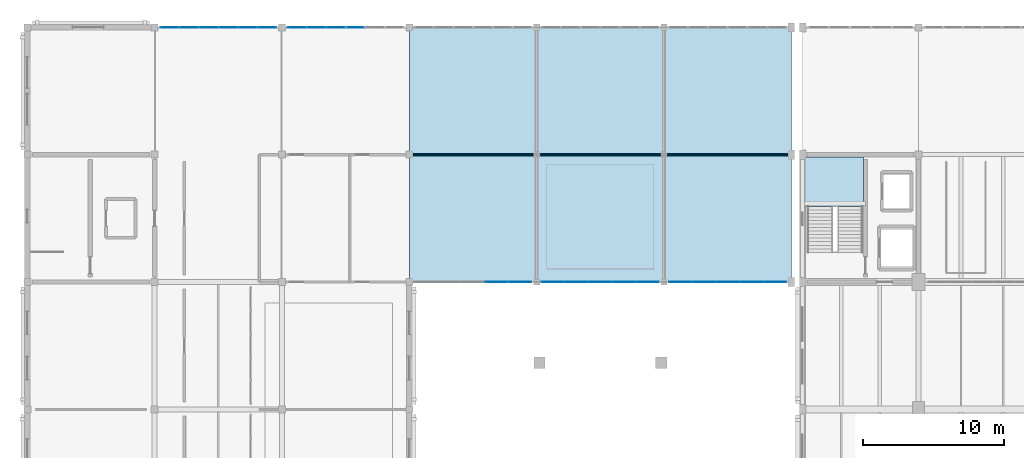
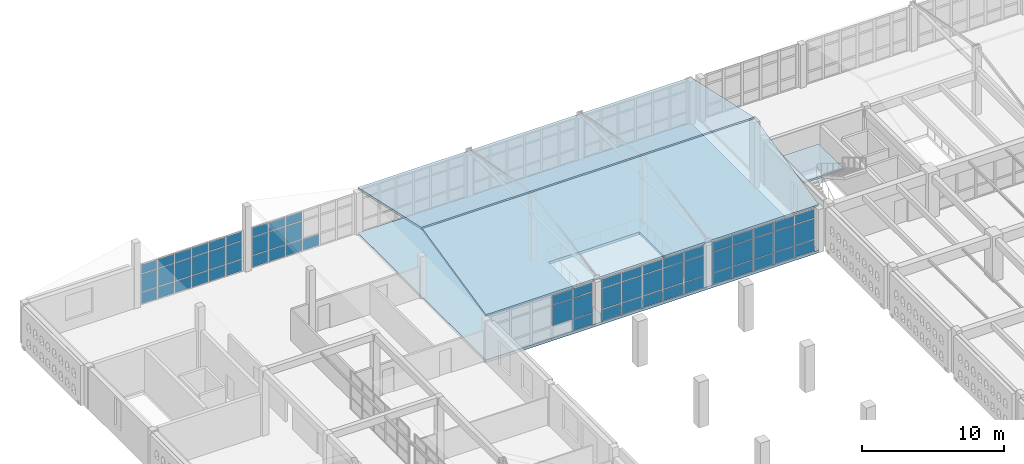
# One storey, part 113 of 156: 63 plates, 4 slabs, 6 elements without a shape of their own.
"""IFC4 building model written with IfcOpenShell, lengths in metres."""

from ifc_helpers import new_model, si_unit, direction, frame, origin, origin_2d, place, context, subcontext, project, spatial, polyline, rectangle, outline, extrude, material, layer, layer_set, type_object, element, aggregate, save


model = new_model("IFC4")

# Units and contexts
model_context = context("Model", 3, precision=1e-05, world=origin(), true_north=direction((0.0, 1.0)))
body_context = subcontext(model_context, "Body", "Model", "MODEL_VIEW")
ifc_project = project(units=[si_unit("LENGTHUNIT", "METRE"), si_unit("AREAUNIT", "SQUARE_METRE"), si_unit("VOLUMEUNIT", "CUBIC_METRE"), si_unit("PLANEANGLEUNIT", "RADIAN"), si_unit("MASSUNIT", "GRAM", prefix="KILO")], contexts=[model_context])

# Site, building, storey
site_placement = place(None, origin())
site = spatial("IfcSite", under=ifc_project, at=site_placement, CompositionType="ELEMENT")
building_placement = place(site_placement, origin())
building = spatial("IfcBuilding", under=site, at=building_placement, Name="Ornek Quay Market", CompositionType="ELEMENT")
storey_placement = place(building_placement, frame((0.0, 0.0, 4.5)))
storey = spatial("IfcBuildingStorey", under=building, at=storey_placement, Name="L01", CompositionType="ELEMENT", Elevation=4.5)

# Curtain wall, plates
ifc_material_1 = material(Name="Anodised bronze aluminium and triple low-e glass", Category="aluminium")
ifc_layer_1 = layer(ifc_material_1, 0.179931640625, Name="Anodised bronze aluminium and triple low-e glass", Category="aluminium")
ifc_layer_set_1 = layer_set([ifc_layer_1], Name="Anodised bronze aluminium and triple low-e glass")
curtain_wall_type_1 = type_object("IfcCurtainWallType", Name="CW-CONC-MOD1500", PredefinedType="USERDEFINED", material=ifc_layer_set_1)
curtain_wall_1_placement = place(storey_placement, origin())
curtain_wall_1 = element("IfcCurtainWall", 1, at=curtain_wall_1_placement, inside=storey, type_object=curtain_wall_type_1, Name="Curtain wall CW-003", ObjectType="CURTAIN WALL", PredefinedType="USERDEFINED")
ifc_material_2 = material(Name="Triple insulated low-e glass", Category="glass")
ifc_layer_2 = layer(ifc_material_2, 0.035888671875, Name="Triple insulated low-e glass", Category="glass")
ifc_layer_set_2 = layer_set([ifc_layer_2], Name="Triple insulated low-e glass")
plate_type_1 = type_object("IfcPlateType", Name="PL-CW-TRIPLE-36", PredefinedType="CURTAIN_PANEL", material=ifc_layer_set_2)
plate_1_placement = place(storey_placement, frame((10.057861328125, 110.0, 0.06494140625), z_axis=(0.0, 0.0, 1.0), x_axis=(1.0, 0.0, 0.0)))
plate_1 = element("IfcPlate", 2, at=plate_1_placement, type_object=plate_type_1, Name="CW-003 panel 1.1", PredefinedType="CURTAIN_PANEL", context=body_context, shape_type="SweptSolid", body=[
    extrude(rectangle(XDim=1.285888671875, YDim=0.035888671875, at=origin_2d()), origin(), (0.0, 0.0, 1.0), 0.952392578125),
])
plate_2_placement = place(storey_placement, frame((10.057861328125, 110.0, 1.08251953125), z_axis=(0.0, 0.0, 1.0), x_axis=(1.0, 0.0, 0.0)))
plate_2 = element("IfcPlate", 3, at=plate_2_placement, type_object=plate_type_1, Name="CW-003 panel 1.2", PredefinedType="CURTAIN_PANEL", context=body_context, shape_type="SweptSolid", body=[
    extrude(rectangle(XDim=1.285888671875, YDim=0.035888671875, at=origin_2d()), origin(), (0.0, 0.0, 1.0), 1.514892578125),
])
plate_3_placement = place(storey_placement, frame((10.057861328125, 110.0, 2.66259765625), z_axis=(0.0, 0.0, 1.0), x_axis=(1.0, 0.0, 0.0)))
plate_3 = element("IfcPlate", 4, at=plate_3_placement, type_object=plate_type_1, Name="CW-003 panel 1.3", PredefinedType="CURTAIN_PANEL", context=body_context, shape_type="SweptSolid", body=[
    extrude(rectangle(XDim=1.285888671875, YDim=0.035888671875, at=origin_2d()), origin(), (0.0, 0.0, 1.0), 0.75244140625),
])
plate_4_placement = place(storey_placement, frame((11.425048828125, 110.0, 0.06494140625), z_axis=(0.0, 0.0, 1.0), x_axis=(1.0, 0.0, 0.0)))
plate_4 = element("IfcPlate", 5, at=plate_4_placement, type_object=plate_type_1, Name="CW-003 panel 2.1", PredefinedType="CURTAIN_PANEL", context=body_context, shape_type="SweptSolid", body=[
    extrude(rectangle(XDim=1.318359375, YDim=0.035888671875, at=origin_2d()), origin(), (0.0, 0.0, 1.0), 0.952392578125),
])
plate_5_placement = place(storey_placement, frame((11.425048828125, 110.0, 1.08251953125), z_axis=(0.0, 0.0, 1.0), x_axis=(1.0, 0.0, 0.0)))
plate_5 = element("IfcPlate", 6, at=plate_5_placement, type_object=plate_type_1, Name="CW-003 panel 2.2", PredefinedType="CURTAIN_PANEL", context=body_context, shape_type="SweptSolid", body=[
    extrude(rectangle(XDim=1.318359375, YDim=0.035888671875, at=origin_2d()), origin(), (0.0, 0.0, 1.0), 1.514892578125),
])
plate_6_placement = place(storey_placement, frame((11.425048828125, 110.0, 2.66259765625), z_axis=(0.0, 0.0, 1.0), x_axis=(1.0, 0.0, 0.0)))
plate_6 = element("IfcPlate", 7, at=plate_6_placement, type_object=plate_type_1, Name="CW-003 panel 2.3", PredefinedType="CURTAIN_PANEL", context=body_context, shape_type="SweptSolid", body=[
    extrude(rectangle(XDim=1.318359375, YDim=0.035888671875, at=origin_2d()), origin(), (0.0, 0.0, 1.0), 0.75244140625),
])
plate_7_placement = place(storey_placement, frame((12.808349609375, 110.0, 0.06494140625), z_axis=(0.0, 0.0, 1.0), x_axis=(1.0, 0.0, 0.0)))
plate_7 = element("IfcPlate", 8, at=plate_7_placement, type_object=plate_type_1, Name="CW-003 panel 3.1", PredefinedType="CURTAIN_PANEL", context=body_context, shape_type="SweptSolid", body=[
    extrude(rectangle(XDim=1.318359375, YDim=0.035888671875, at=origin_2d()), origin(), (0.0, 0.0, 1.0), 0.952392578125),
])
plate_8_placement = place(storey_placement, frame((12.808349609375, 110.0, 1.08251953125), z_axis=(0.0, 0.0, 1.0), x_axis=(1.0, 0.0, 0.0)))
plate_8 = element("IfcPlate", 9, at=plate_8_placement, type_object=plate_type_1, Name="CW-003 panel 3.2", PredefinedType="CURTAIN_PANEL", context=body_context, shape_type="SweptSolid", body=[
    extrude(rectangle(XDim=1.318359375, YDim=0.035888671875, at=origin_2d()), origin(), (0.0, 0.0, 1.0), 1.514892578125),
])
plate_9_placement = place(storey_placement, frame((12.808349609375, 110.0, 2.66259765625), z_axis=(0.0, 0.0, 1.0), x_axis=(1.0, 0.0, 0.0)))
plate_9 = element("IfcPlate", 10, at=plate_9_placement, type_object=plate_type_1, Name="CW-003 panel 3.3", PredefinedType="CURTAIN_PANEL", context=body_context, shape_type="SweptSolid", body=[
    extrude(rectangle(XDim=1.318359375, YDim=0.035888671875, at=origin_2d()), origin(), (0.0, 0.0, 1.0), 0.75244140625),
])
plate_10_placement = place(storey_placement, frame((14.191650390625, 110.0, 0.06494140625), z_axis=(0.0, 0.0, 1.0), x_axis=(1.0, 0.0, 0.0)))
plate_10 = element("IfcPlate", 11, at=plate_10_placement, type_object=plate_type_1, Name="CW-003 panel 4.1", PredefinedType="CURTAIN_PANEL", context=body_context, shape_type="SweptSolid", body=[
    extrude(rectangle(XDim=1.318359375, YDim=0.035888671875, at=origin_2d()), origin(), (0.0, 0.0, 1.0), 0.952392578125),
])
plate_11_placement = place(storey_placement, frame((14.191650390625, 110.0, 1.08251953125), z_axis=(0.0, 0.0, 1.0), x_axis=(1.0, 0.0, 0.0)))
plate_11 = element("IfcPlate", 12, at=plate_11_placement, type_object=plate_type_1, Name="CW-003 panel 4.2", PredefinedType="CURTAIN_PANEL", context=body_context, shape_type="SweptSolid", body=[
    extrude(rectangle(XDim=1.318359375, YDim=0.035888671875, at=origin_2d()), origin(), (0.0, 0.0, 1.0), 1.514892578125),
])
plate_12_placement = place(storey_placement, frame((14.191650390625, 110.0, 2.66259765625), z_axis=(0.0, 0.0, 1.0), x_axis=(1.0, 0.0, 0.0)))
plate_12 = element("IfcPlate", 13, at=plate_12_placement, type_object=plate_type_1, Name="CW-003 panel 4.3", PredefinedType="CURTAIN_PANEL", context=body_context, shape_type="SweptSolid", body=[
    extrude(rectangle(XDim=1.318359375, YDim=0.035888671875, at=origin_2d()), origin(), (0.0, 0.0, 1.0), 0.75244140625),
])
plate_13_placement = place(storey_placement, frame((15.574951171875, 110.0, 0.06494140625), z_axis=(0.0, 0.0, 1.0), x_axis=(1.0, 0.0, 0.0)))
plate_13 = element("IfcPlate", 14, at=plate_13_placement, type_object=plate_type_1, Name="CW-003 panel 5.1", PredefinedType="CURTAIN_PANEL", context=body_context, shape_type="SweptSolid", body=[
    extrude(rectangle(XDim=1.318359375, YDim=0.035888671875, at=origin_2d()), origin(), (0.0, 0.0, 1.0), 0.952392578125),
])
plate_14_placement = place(storey_placement, frame((15.574951171875, 110.0, 1.08251953125), z_axis=(0.0, 0.0, 1.0), x_axis=(1.0, 0.0, 0.0)))
plate_14 = element("IfcPlate", 15, at=plate_14_placement, type_object=plate_type_1, Name="CW-003 panel 5.2", PredefinedType="CURTAIN_PANEL", context=body_context, shape_type="SweptSolid", body=[
    extrude(rectangle(XDim=1.318359375, YDim=0.035888671875, at=origin_2d()), origin(), (0.0, 0.0, 1.0), 1.514892578125),
])
plate_15_placement = place(storey_placement, frame((15.574951171875, 110.0, 2.66259765625), z_axis=(0.0, 0.0, 1.0), x_axis=(1.0, 0.0, 0.0)))
plate_15 = element("IfcPlate", 16, at=plate_15_placement, type_object=plate_type_1, Name="CW-003 panel 5.3", PredefinedType="CURTAIN_PANEL", context=body_context, shape_type="SweptSolid", body=[
    extrude(rectangle(XDim=1.318359375, YDim=0.035888671875, at=origin_2d()), origin(), (0.0, 0.0, 1.0), 0.75244140625),
])
plate_16_placement = place(storey_placement, frame((16.942138671875, 110.0, 0.06494140625), z_axis=(0.0, 0.0, 1.0), x_axis=(1.0, 0.0, 0.0)))
plate_16 = element("IfcPlate", 17, at=plate_16_placement, type_object=plate_type_1, Name="CW-003 panel 6.1", PredefinedType="CURTAIN_PANEL", context=body_context, shape_type="SweptSolid", body=[
    extrude(rectangle(XDim=1.285888671875, YDim=0.035888671875, at=origin_2d()), origin(), (0.0, 0.0, 1.0), 0.952392578125),
])
plate_17_placement = place(storey_placement, frame((16.942138671875, 110.0, 1.08251953125), z_axis=(0.0, 0.0, 1.0), x_axis=(1.0, 0.0, 0.0)))
plate_17 = element("IfcPlate", 18, at=plate_17_placement, type_object=plate_type_1, Name="CW-003 panel 6.2", PredefinedType="CURTAIN_PANEL", context=body_context, shape_type="SweptSolid", body=[
    extrude(rectangle(XDim=1.285888671875, YDim=0.035888671875, at=origin_2d()), origin(), (0.0, 0.0, 1.0), 1.514892578125),
])
plate_18_placement = place(storey_placement, frame((16.942138671875, 110.0, 2.66259765625), z_axis=(0.0, 0.0, 1.0), x_axis=(1.0, 0.0, 0.0)))
plate_18 = element("IfcPlate", 19, at=plate_18_placement, type_object=plate_type_1, Name="CW-003 panel 6.3", PredefinedType="CURTAIN_PANEL", context=body_context, shape_type="SweptSolid", body=[
    extrude(rectangle(XDim=1.285888671875, YDim=0.035888671875, at=origin_2d()), origin(), (0.0, 0.0, 1.0), 0.75244140625),
])
aggregate(curtain_wall_1, [plate_1, plate_2, plate_3, plate_4, plate_5, plate_6, plate_7, plate_8, plate_9, plate_10, plate_11, plate_12, plate_13, plate_14, plate_15, plate_16, plate_17, plate_18])

curtain_wall_2_placement = place(storey_placement, origin())
curtain_wall_2 = element("IfcCurtainWall", 20, at=curtain_wall_2_placement, inside=storey, type_object=curtain_wall_type_1, Name="Curtain wall CW-004", ObjectType="CURTAIN WALL", PredefinedType="USERDEFINED")
plate_19_placement = place(storey_placement, frame((19.057861328125, 110.0, 0.06494140625), z_axis=(0.0, 0.0, 1.0), x_axis=(1.0, 0.0, 0.0)))
plate_19 = element("IfcPlate", 21, at=plate_19_placement, type_object=plate_type_1, Name="CW-004 panel 1.1", PredefinedType="CURTAIN_PANEL", context=body_context, shape_type="SweptSolid", body=[
    extrude(rectangle(XDim=1.285888671875, YDim=0.035888671875, at=origin_2d()), origin(), (0.0, 0.0, 1.0), 0.952392578125),
])
plate_20_placement = place(storey_placement, frame((19.057861328125, 110.0, 1.08251953125), z_axis=(0.0, 0.0, 1.0), x_axis=(1.0, 0.0, 0.0)))
plate_20 = element("IfcPlate", 22, at=plate_20_placement, type_object=plate_type_1, Name="CW-004 panel 1.2", PredefinedType="CURTAIN_PANEL", context=body_context, shape_type="SweptSolid", body=[
    extrude(rectangle(XDim=1.285888671875, YDim=0.035888671875, at=origin_2d()), origin(), (0.0, 0.0, 1.0), 1.514892578125),
])
plate_21_placement = place(storey_placement, frame((19.057861328125, 110.0, 2.66259765625), z_axis=(0.0, 0.0, 1.0), x_axis=(1.0, 0.0, 0.0)))
plate_21 = element("IfcPlate", 23, at=plate_21_placement, type_object=plate_type_1, Name="CW-004 panel 1.3", PredefinedType="CURTAIN_PANEL", context=body_context, shape_type="SweptSolid", body=[
    extrude(rectangle(XDim=1.285888671875, YDim=0.035888671875, at=origin_2d()), origin(), (0.0, 0.0, 1.0), 0.75244140625),
])
plate_22_placement = place(storey_placement, frame((20.425048828125, 110.0, 0.06494140625), z_axis=(0.0, 0.0, 1.0), x_axis=(1.0, 0.0, 0.0)))
plate_22 = element("IfcPlate", 24, at=plate_22_placement, type_object=plate_type_1, Name="CW-004 panel 2.1", PredefinedType="CURTAIN_PANEL", context=body_context, shape_type="SweptSolid", body=[
    extrude(rectangle(XDim=1.318359375, YDim=0.035888671875, at=origin_2d()), origin(), (0.0, 0.0, 1.0), 0.952392578125),
])
plate_23_placement = place(storey_placement, frame((20.425048828125, 110.0, 1.08251953125), z_axis=(0.0, 0.0, 1.0), x_axis=(1.0, 0.0, 0.0)))
plate_23 = element("IfcPlate", 25, at=plate_23_placement, type_object=plate_type_1, Name="CW-004 panel 2.2", PredefinedType="CURTAIN_PANEL", context=body_context, shape_type="SweptSolid", body=[
    extrude(rectangle(XDim=1.318359375, YDim=0.035888671875, at=origin_2d()), origin(), (0.0, 0.0, 1.0), 1.514892578125),
])
plate_24_placement = place(storey_placement, frame((20.425048828125, 110.0, 2.66259765625), z_axis=(0.0, 0.0, 1.0), x_axis=(1.0, 0.0, 0.0)))
plate_24 = element("IfcPlate", 26, at=plate_24_placement, type_object=plate_type_1, Name="CW-004 panel 2.3", PredefinedType="CURTAIN_PANEL", context=body_context, shape_type="SweptSolid", body=[
    extrude(rectangle(XDim=1.318359375, YDim=0.035888671875, at=origin_2d()), origin(), (0.0, 0.0, 1.0), 0.75244140625),
])
plate_25_placement = place(storey_placement, frame((21.808349609375, 110.0, 0.06494140625), z_axis=(0.0, 0.0, 1.0), x_axis=(1.0, 0.0, 0.0)))
plate_25 = element("IfcPlate", 27, at=plate_25_placement, type_object=plate_type_1, Name="CW-004 panel 3.1", PredefinedType="CURTAIN_PANEL", context=body_context, shape_type="SweptSolid", body=[
    extrude(rectangle(XDim=1.318359375, YDim=0.035888671875, at=origin_2d()), origin(), (0.0, 0.0, 1.0), 0.952392578125),
])
plate_26_placement = place(storey_placement, frame((21.808349609375, 110.0, 1.08251953125), z_axis=(0.0, 0.0, 1.0), x_axis=(1.0, 0.0, 0.0)))
plate_26 = element("IfcPlate", 28, at=plate_26_placement, type_object=plate_type_1, Name="CW-004 panel 3.2", PredefinedType="CURTAIN_PANEL", context=body_context, shape_type="SweptSolid", body=[
    extrude(rectangle(XDim=1.318359375, YDim=0.035888671875, at=origin_2d()), origin(), (0.0, 0.0, 1.0), 1.514892578125),
])
plate_27_placement = place(storey_placement, frame((21.808349609375, 110.0, 2.66259765625), z_axis=(0.0, 0.0, 1.0), x_axis=(1.0, 0.0, 0.0)))
plate_27 = element("IfcPlate", 29, at=plate_27_placement, type_object=plate_type_1, Name="CW-004 panel 3.3", PredefinedType="CURTAIN_PANEL", context=body_context, shape_type="SweptSolid", body=[
    extrude(rectangle(XDim=1.318359375, YDim=0.035888671875, at=origin_2d()), origin(), (0.0, 0.0, 1.0), 0.75244140625),
])
plate_28_placement = place(storey_placement, frame((23.191650390625, 110.0, 0.06494140625), z_axis=(0.0, 0.0, 1.0), x_axis=(1.0, 0.0, 0.0)))
plate_28 = element("IfcPlate", 30, at=plate_28_placement, type_object=plate_type_1, Name="CW-004 panel 4.1", PredefinedType="CURTAIN_PANEL", context=body_context, shape_type="SweptSolid", body=[
    extrude(rectangle(XDim=1.318359375, YDim=0.035888671875, at=origin_2d()), origin(), (0.0, 0.0, 1.0), 0.952392578125),
])
aggregate(curtain_wall_2, [plate_19, plate_20, plate_21, plate_22, plate_23, plate_24, plate_25, plate_26, plate_27, plate_28])

ifc_layer_3 = layer(ifc_material_1, 0.199951171875, Name="Anodised bronze aluminium and triple low-e glass", Category="aluminium")
ifc_layer_set_3 = layer_set([ifc_layer_3], Name="Anodised bronze aluminium and triple low-e glass")
curtain_wall_type_2 = type_object("IfcCurtainWallType", Name="CW-CONC-MOD1800", PredefinedType="USERDEFINED", material=ifc_layer_set_3)
curtain_wall_3_placement = place(storey_placement, origin())
curtain_wall_3 = element("IfcCurtainWall", 31, at=curtain_wall_3_placement, inside=storey, type_object=curtain_wall_type_2, Name="Curtain wall CW-014", ObjectType="CURTAIN WALL", PredefinedType="USERDEFINED")
ifc_layer_4 = layer(ifc_material_2, 0.0419921875, Name="Triple insulated low-e glass", Category="glass")
ifc_layer_set_4 = layer_set([ifc_layer_4], Name="Triple insulated low-e glass")
plate_type_2 = type_object("IfcPlateType", Name="PL-CW-TRIPLE-42", PredefinedType="CURTAIN_PANEL", material=ifc_layer_set_4)
plate_29_placement = place(storey_placement, frame((33.179931640625, 92.0, 1.08251953125), z_axis=(0.0, 0.0, 1.0), x_axis=(1.0, 0.0, 0.0)))
plate_29 = element("IfcPlate", 32, at=plate_29_placement, type_object=plate_type_2, Name="CW-014 panel 4.2", PredefinedType="CURTAIN_PANEL", context=body_context, shape_type="SweptSolid", body=[
    extrude(rectangle(XDim=1.614990234375, YDim=0.0419921875, at=origin_2d()), origin(), (0.0, 0.0, 1.0), 1.7451171875),
])
plate_30_placement = place(storey_placement, frame((33.179931640625, 92.0, 2.892578125), z_axis=(0.0, 0.0, 1.0), x_axis=(1.0, 0.0, 0.0)))
plate_30 = element("IfcPlate", 33, at=plate_30_placement, type_object=plate_type_2, Name="CW-014 panel 4.3", PredefinedType="CURTAIN_PANEL", context=body_context, shape_type="SweptSolid", body=[
    extrude(rectangle(XDim=1.614990234375, YDim=0.0419921875, at=origin_2d()), origin(), (0.0, 0.0, 1.0), 0.75244140625),
])
plate_31_placement = place(storey_placement, frame((34.84375, 92.0, 0.06494140625), z_axis=(0.0, 0.0, 1.0), x_axis=(1.0, 0.0, 0.0)))
plate_31 = element("IfcPlate", 34, at=plate_31_placement, type_object=plate_type_2, Name="CW-014 panel 5.1", PredefinedType="CURTAIN_PANEL", context=body_context, shape_type="SweptSolid", body=[
    extrude(rectangle(XDim=1.58251953125, YDim=0.0419921875, at=origin_2d()), origin(), (0.0, 0.0, 1.0), 0.952392578125),
])
plate_32_placement = place(storey_placement, frame((34.84375, 92.0, 1.08251953125), z_axis=(0.0, 0.0, 1.0), x_axis=(1.0, 0.0, 0.0)))
plate_32 = element("IfcPlate", 35, at=plate_32_placement, type_object=plate_type_2, Name="CW-014 panel 5.2", PredefinedType="CURTAIN_PANEL", context=body_context, shape_type="SweptSolid", body=[
    extrude(rectangle(XDim=1.58251953125, YDim=0.0419921875, at=origin_2d()), origin(), (0.0, 0.0, 1.0), 1.7451171875),
])
plate_33_placement = place(storey_placement, frame((34.84375, 92.0, 2.892578125), z_axis=(0.0, 0.0, 1.0), x_axis=(1.0, 0.0, 0.0)))
plate_33 = element("IfcPlate", 36, at=plate_33_placement, type_object=plate_type_2, Name="CW-014 panel 5.3", PredefinedType="CURTAIN_PANEL", context=body_context, shape_type="SweptSolid", body=[
    extrude(rectangle(XDim=1.58251953125, YDim=0.0419921875, at=origin_2d()), origin(), (0.0, 0.0, 1.0), 0.75244140625),
])
aggregate(curtain_wall_3, [plate_29, plate_30, plate_31, plate_32, plate_33])

curtain_wall_4_placement = place(storey_placement, origin())
curtain_wall_4 = element("IfcCurtainWall", 37, at=curtain_wall_4_placement, inside=storey, type_object=curtain_wall_type_2, Name="Curtain wall CW-018", ObjectType="CURTAIN WALL", PredefinedType="USERDEFINED")
plate_34_placement = place(storey_placement, frame((37.15625, 92.0, 0.06494140625), z_axis=(0.0, 0.0, 1.0), x_axis=(1.0, 0.0, 0.0)))
plate_34 = element("IfcPlate", 38, at=plate_34_placement, type_object=plate_type_2, Name="CW-018 panel 1.1", PredefinedType="CURTAIN_PANEL", context=body_context, shape_type="SweptSolid", body=[
    extrude(rectangle(XDim=1.58251953125, YDim=0.0419921875, at=origin_2d()), origin(), (0.0, 0.0, 1.0), 0.952392578125),
])
plate_35_placement = place(storey_placement, frame((37.15625, 92.0, 1.08251953125), z_axis=(0.0, 0.0, 1.0), x_axis=(1.0, 0.0, 0.0)))
plate_35 = element("IfcPlate", 39, at=plate_35_placement, type_object=plate_type_2, Name="CW-018 panel 1.2", PredefinedType="CURTAIN_PANEL", context=body_context, shape_type="SweptSolid", body=[
    extrude(rectangle(XDim=1.58251953125, YDim=0.0419921875, at=origin_2d()), origin(), (0.0, 0.0, 1.0), 1.7451171875),
])
plate_36_placement = place(storey_placement, frame((37.15625, 92.0, 2.892578125), z_axis=(0.0, 0.0, 1.0), x_axis=(1.0, 0.0, 0.0)))
plate_36 = element("IfcPlate", 40, at=plate_36_placement, type_object=plate_type_2, Name="CW-018 panel 1.3", PredefinedType="CURTAIN_PANEL", context=body_context, shape_type="SweptSolid", body=[
    extrude(rectangle(XDim=1.58251953125, YDim=0.0419921875, at=origin_2d()), origin(), (0.0, 0.0, 1.0), 0.75244140625),
])
plate_37_placement = place(storey_placement, frame((38.820068359375, 92.0, 0.06494140625), z_axis=(0.0, 0.0, 1.0), x_axis=(1.0, 0.0, 0.0)))
plate_37 = element("IfcPlate", 41, at=plate_37_placement, type_object=plate_type_2, Name="CW-018 panel 2.1", PredefinedType="CURTAIN_PANEL", context=body_context, shape_type="SweptSolid", body=[
    extrude(rectangle(XDim=1.614990234375, YDim=0.0419921875, at=origin_2d()), origin(), (0.0, 0.0, 1.0), 0.952392578125),
])
plate_38_placement = place(storey_placement, frame((38.820068359375, 92.0, 1.08251953125), z_axis=(0.0, 0.0, 1.0), x_axis=(1.0, 0.0, 0.0)))
plate_38 = element("IfcPlate", 42, at=plate_38_placement, type_object=plate_type_2, Name="CW-018 panel 2.2", PredefinedType="CURTAIN_PANEL", context=body_context, shape_type="SweptSolid", body=[
    extrude(rectangle(XDim=1.614990234375, YDim=0.0419921875, at=origin_2d()), origin(), (0.0, 0.0, 1.0), 1.7451171875),
])
plate_39_placement = place(storey_placement, frame((38.820068359375, 92.0, 2.892578125), z_axis=(0.0, 0.0, 1.0), x_axis=(1.0, 0.0, 0.0)))
plate_39 = element("IfcPlate", 43, at=plate_39_placement, type_object=plate_type_2, Name="CW-018 panel 2.3", PredefinedType="CURTAIN_PANEL", context=body_context, shape_type="SweptSolid", body=[
    extrude(rectangle(XDim=1.614990234375, YDim=0.0419921875, at=origin_2d()), origin(), (0.0, 0.0, 1.0), 0.75244140625),
])
plate_40_placement = place(storey_placement, frame((40.5, 92.0, 0.06494140625), z_axis=(0.0, 0.0, 1.0), x_axis=(1.0, 0.0, 0.0)))
plate_40 = element("IfcPlate", 44, at=plate_40_placement, type_object=plate_type_2, Name="CW-018 panel 3.1", PredefinedType="CURTAIN_PANEL", context=body_context, shape_type="SweptSolid", body=[
    extrude(rectangle(XDim=1.614990234375, YDim=0.0419921875, at=origin_2d()), origin(), (0.0, 0.0, 1.0), 0.952392578125),
])
plate_41_placement = place(storey_placement, frame((40.5, 92.0, 1.08251953125), z_axis=(0.0, 0.0, 1.0), x_axis=(1.0, 0.0, 0.0)))
plate_41 = element("IfcPlate", 45, at=plate_41_placement, type_object=plate_type_2, Name="CW-018 panel 3.2", PredefinedType="CURTAIN_PANEL", context=body_context, shape_type="SweptSolid", body=[
    extrude(rectangle(XDim=1.614990234375, YDim=0.0419921875, at=origin_2d()), origin(), (0.0, 0.0, 1.0), 1.7451171875),
])
plate_42_placement = place(storey_placement, frame((40.5, 92.0, 2.892578125), z_axis=(0.0, 0.0, 1.0), x_axis=(1.0, 0.0, 0.0)))
plate_42 = element("IfcPlate", 46, at=plate_42_placement, type_object=plate_type_2, Name="CW-018 panel 3.3", PredefinedType="CURTAIN_PANEL", context=body_context, shape_type="SweptSolid", body=[
    extrude(rectangle(XDim=1.614990234375, YDim=0.0419921875, at=origin_2d()), origin(), (0.0, 0.0, 1.0), 0.75244140625),
])
plate_43_placement = place(storey_placement, frame((42.179931640625, 92.0, 0.06494140625), z_axis=(0.0, 0.0, 1.0), x_axis=(1.0, 0.0, 0.0)))
plate_43 = element("IfcPlate", 47, at=plate_43_placement, type_object=plate_type_2, Name="CW-018 panel 4.1", PredefinedType="CURTAIN_PANEL", context=body_context, shape_type="SweptSolid", body=[
    extrude(rectangle(XDim=1.614990234375, YDim=0.0419921875, at=origin_2d()), origin(), (0.0, 0.0, 1.0), 0.952392578125),
])
plate_44_placement = place(storey_placement, frame((42.179931640625, 92.0, 1.08251953125), z_axis=(0.0, 0.0, 1.0), x_axis=(1.0, 0.0, 0.0)))
plate_44 = element("IfcPlate", 48, at=plate_44_placement, type_object=plate_type_2, Name="CW-018 panel 4.2", PredefinedType="CURTAIN_PANEL", context=body_context, shape_type="SweptSolid", body=[
    extrude(rectangle(XDim=1.614990234375, YDim=0.0419921875, at=origin_2d()), origin(), (0.0, 0.0, 1.0), 1.7451171875),
])
plate_45_placement = place(storey_placement, frame((42.179931640625, 92.0, 2.892578125), z_axis=(0.0, 0.0, 1.0), x_axis=(1.0, 0.0, 0.0)))
plate_45 = element("IfcPlate", 49, at=plate_45_placement, type_object=plate_type_2, Name="CW-018 panel 4.3", PredefinedType="CURTAIN_PANEL", context=body_context, shape_type="SweptSolid", body=[
    extrude(rectangle(XDim=1.614990234375, YDim=0.0419921875, at=origin_2d()), origin(), (0.0, 0.0, 1.0), 0.75244140625),
])
plate_46_placement = place(storey_placement, frame((43.84375, 92.0, 0.06494140625), z_axis=(0.0, 0.0, 1.0), x_axis=(1.0, 0.0, 0.0)))
plate_46 = element("IfcPlate", 50, at=plate_46_placement, type_object=plate_type_2, Name="CW-018 panel 5.1", PredefinedType="CURTAIN_PANEL", context=body_context, shape_type="SweptSolid", body=[
    extrude(rectangle(XDim=1.58251953125, YDim=0.0419921875, at=origin_2d()), origin(), (0.0, 0.0, 1.0), 0.952392578125),
])
plate_47_placement = place(storey_placement, frame((43.84375, 92.0, 1.08251953125), z_axis=(0.0, 0.0, 1.0), x_axis=(1.0, 0.0, 0.0)))
plate_47 = element("IfcPlate", 51, at=plate_47_placement, type_object=plate_type_2, Name="CW-018 panel 5.2", PredefinedType="CURTAIN_PANEL", context=body_context, shape_type="SweptSolid", body=[
    extrude(rectangle(XDim=1.58251953125, YDim=0.0419921875, at=origin_2d()), origin(), (0.0, 0.0, 1.0), 1.7451171875),
])
plate_48_placement = place(storey_placement, frame((43.84375, 92.0, 2.892578125), z_axis=(0.0, 0.0, 1.0), x_axis=(1.0, 0.0, 0.0)))
plate_48 = element("IfcPlate", 52, at=plate_48_placement, type_object=plate_type_2, Name="CW-018 panel 5.3", PredefinedType="CURTAIN_PANEL", context=body_context, shape_type="SweptSolid", body=[
    extrude(rectangle(XDim=1.58251953125, YDim=0.0419921875, at=origin_2d()), origin(), (0.0, 0.0, 1.0), 0.75244140625),
])
aggregate(curtain_wall_4, [plate_34, plate_35, plate_36, plate_37, plate_38, plate_39, plate_40, plate_41, plate_42, plate_43, plate_44, plate_45, plate_46, plate_47, plate_48])

curtain_wall_5_placement = place(storey_placement, origin())
curtain_wall_5 = element("IfcCurtainWall", 53, at=curtain_wall_5_placement, inside=storey, type_object=curtain_wall_type_2, Name="Curtain wall CW-022", ObjectType="CURTAIN WALL", PredefinedType="USERDEFINED")
plate_49_placement = place(storey_placement, frame((46.15625, 92.0, 0.06494140625), z_axis=(0.0, 0.0, 1.0), x_axis=(1.0, 0.0, 0.0)))
plate_49 = element("IfcPlate", 54, at=plate_49_placement, type_object=plate_type_2, Name="CW-022 panel 1.1", PredefinedType="CURTAIN_PANEL", context=body_context, shape_type="SweptSolid", body=[
    extrude(rectangle(XDim=1.58251953125, YDim=0.0419921875, at=origin_2d()), origin(), (0.0, 0.0, 1.0), 0.952392578125),
])
plate_50_placement = place(storey_placement, frame((46.15625, 92.0, 1.08251953125), z_axis=(0.0, 0.0, 1.0), x_axis=(1.0, 0.0, 0.0)))
plate_50 = element("IfcPlate", 55, at=plate_50_placement, type_object=plate_type_2, Name="CW-022 panel 1.2", PredefinedType="CURTAIN_PANEL", context=body_context, shape_type="SweptSolid", body=[
    extrude(rectangle(XDim=1.58251953125, YDim=0.0419921875, at=origin_2d()), origin(), (0.0, 0.0, 1.0), 1.7451171875),
])
plate_51_placement = place(storey_placement, frame((46.15625, 92.0, 2.892578125), z_axis=(0.0, 0.0, 1.0), x_axis=(1.0, 0.0, 0.0)))
plate_51 = element("IfcPlate", 56, at=plate_51_placement, type_object=plate_type_2, Name="CW-022 panel 1.3", PredefinedType="CURTAIN_PANEL", context=body_context, shape_type="SweptSolid", body=[
    extrude(rectangle(XDim=1.58251953125, YDim=0.0419921875, at=origin_2d()), origin(), (0.0, 0.0, 1.0), 0.75244140625),
])
plate_52_placement = place(storey_placement, frame((47.820068359375, 92.0, 0.06494140625), z_axis=(0.0, 0.0, 1.0), x_axis=(1.0, 0.0, 0.0)))
plate_52 = element("IfcPlate", 57, at=plate_52_placement, type_object=plate_type_2, Name="CW-022 panel 2.1", PredefinedType="CURTAIN_PANEL", context=body_context, shape_type="SweptSolid", body=[
    extrude(rectangle(XDim=1.614990234375, YDim=0.0419921875, at=origin_2d()), origin(), (0.0, 0.0, 1.0), 0.952392578125),
])
plate_53_placement = place(storey_placement, frame((47.820068359375, 92.0, 1.08251953125), z_axis=(0.0, 0.0, 1.0), x_axis=(1.0, 0.0, 0.0)))
plate_53 = element("IfcPlate", 58, at=plate_53_placement, type_object=plate_type_2, Name="CW-022 panel 2.2", PredefinedType="CURTAIN_PANEL", context=body_context, shape_type="SweptSolid", body=[
    extrude(rectangle(XDim=1.614990234375, YDim=0.0419921875, at=origin_2d()), origin(), (0.0, 0.0, 1.0), 1.7451171875),
])
plate_54_placement = place(storey_placement, frame((47.820068359375, 92.0, 2.892578125), z_axis=(0.0, 0.0, 1.0), x_axis=(1.0, 0.0, 0.0)))
plate_54 = element("IfcPlate", 59, at=plate_54_placement, type_object=plate_type_2, Name="CW-022 panel 2.3", PredefinedType="CURTAIN_PANEL", context=body_context, shape_type="SweptSolid", body=[
    extrude(rectangle(XDim=1.614990234375, YDim=0.0419921875, at=origin_2d()), origin(), (0.0, 0.0, 1.0), 0.75244140625),
])
plate_55_placement = place(storey_placement, frame((49.5, 92.0, 0.06494140625), z_axis=(0.0, 0.0, 1.0), x_axis=(1.0, 0.0, 0.0)))
plate_55 = element("IfcPlate", 60, at=plate_55_placement, type_object=plate_type_2, Name="CW-022 panel 3.1", PredefinedType="CURTAIN_PANEL", context=body_context, shape_type="SweptSolid", body=[
    extrude(rectangle(XDim=1.614990234375, YDim=0.0419921875, at=origin_2d()), origin(), (0.0, 0.0, 1.0), 0.952392578125),
])
plate_56_placement = place(storey_placement, frame((49.5, 92.0, 1.08251953125), z_axis=(0.0, 0.0, 1.0), x_axis=(1.0, 0.0, 0.0)))
plate_56 = element("IfcPlate", 61, at=plate_56_placement, type_object=plate_type_2, Name="CW-022 panel 3.2", PredefinedType="CURTAIN_PANEL", context=body_context, shape_type="SweptSolid", body=[
    extrude(rectangle(XDim=1.614990234375, YDim=0.0419921875, at=origin_2d()), origin(), (0.0, 0.0, 1.0), 1.7451171875),
])
plate_57_placement = place(storey_placement, frame((49.5, 92.0, 2.892578125), z_axis=(0.0, 0.0, 1.0), x_axis=(1.0, 0.0, 0.0)))
plate_57 = element("IfcPlate", 62, at=plate_57_placement, type_object=plate_type_2, Name="CW-022 panel 3.3", PredefinedType="CURTAIN_PANEL", context=body_context, shape_type="SweptSolid", body=[
    extrude(rectangle(XDim=1.614990234375, YDim=0.0419921875, at=origin_2d()), origin(), (0.0, 0.0, 1.0), 0.75244140625),
])
plate_58_placement = place(storey_placement, frame((51.179931640625, 92.0, 0.06494140625), z_axis=(0.0, 0.0, 1.0), x_axis=(1.0, 0.0, 0.0)))
plate_58 = element("IfcPlate", 63, at=plate_58_placement, type_object=plate_type_2, Name="CW-022 panel 4.1", PredefinedType="CURTAIN_PANEL", context=body_context, shape_type="SweptSolid", body=[
    extrude(rectangle(XDim=1.614990234375, YDim=0.0419921875, at=origin_2d()), origin(), (0.0, 0.0, 1.0), 0.952392578125),
])
plate_59_placement = place(storey_placement, frame((51.179931640625, 92.0, 1.08251953125), z_axis=(0.0, 0.0, 1.0), x_axis=(1.0, 0.0, 0.0)))
plate_59 = element("IfcPlate", 64, at=plate_59_placement, type_object=plate_type_2, Name="CW-022 panel 4.2", PredefinedType="CURTAIN_PANEL", context=body_context, shape_type="SweptSolid", body=[
    extrude(rectangle(XDim=1.614990234375, YDim=0.0419921875, at=origin_2d()), origin(), (0.0, 0.0, 1.0), 1.7451171875),
])
plate_60_placement = place(storey_placement, frame((51.179931640625, 92.0, 2.892578125), z_axis=(0.0, 0.0, 1.0), x_axis=(1.0, 0.0, 0.0)))
plate_60 = element("IfcPlate", 65, at=plate_60_placement, type_object=plate_type_2, Name="CW-022 panel 4.3", PredefinedType="CURTAIN_PANEL", context=body_context, shape_type="SweptSolid", body=[
    extrude(rectangle(XDim=1.614990234375, YDim=0.0419921875, at=origin_2d()), origin(), (0.0, 0.0, 1.0), 0.75244140625),
])
plate_61_placement = place(storey_placement, frame((52.84375, 92.0, 0.06494140625), z_axis=(0.0, 0.0, 1.0), x_axis=(1.0, 0.0, 0.0)))
plate_61 = element("IfcPlate", 66, at=plate_61_placement, type_object=plate_type_2, Name="CW-022 panel 5.1", PredefinedType="CURTAIN_PANEL", context=body_context, shape_type="SweptSolid", body=[
    extrude(rectangle(XDim=1.58251953125, YDim=0.0419921875, at=origin_2d()), origin(), (0.0, 0.0, 1.0), 0.952392578125),
])
plate_62_placement = place(storey_placement, frame((52.84375, 92.0, 1.08251953125), z_axis=(0.0, 0.0, 1.0), x_axis=(1.0, 0.0, 0.0)))
plate_62 = element("IfcPlate", 67, at=plate_62_placement, type_object=plate_type_2, Name="CW-022 panel 5.2", PredefinedType="CURTAIN_PANEL", context=body_context, shape_type="SweptSolid", body=[
    extrude(rectangle(XDim=1.58251953125, YDim=0.0419921875, at=origin_2d()), origin(), (0.0, 0.0, 1.0), 1.7451171875),
])
plate_63_placement = place(storey_placement, frame((52.84375, 92.0, 2.892578125), z_axis=(0.0, 0.0, 1.0), x_axis=(1.0, 0.0, 0.0)))
plate_63 = element("IfcPlate", 68, at=plate_63_placement, type_object=plate_type_2, Name="CW-022 panel 5.3", PredefinedType="CURTAIN_PANEL", context=body_context, shape_type="SweptSolid", body=[
    extrude(rectangle(XDim=1.58251953125, YDim=0.0419921875, at=origin_2d()), origin(), (0.0, 0.0, 1.0), 0.75244140625),
])
aggregate(curtain_wall_5, [plate_49, plate_50, plate_51, plate_52, plate_53, plate_54, plate_55, plate_56, plate_57, plate_58, plate_59, plate_60, plate_61, plate_62, plate_63])

# Slab
ifc_material_3 = material(Name="Concrete C35/45", Category="concrete")
ifc_layer_5 = layer(ifc_material_3, 0.22998046875, Name="Concrete C35/45", Category="concrete")
ifc_layer_set_5 = layer_set([ifc_layer_5], Name="Concrete C35/45")
slab_type_1 = type_object("IfcSlabType", Name="SL-FLR-CONC-230", PredefinedType="FLOOR", material=ifc_layer_set_5)
slab_1_placement = place(storey_placement, frame((0.0, 0.0, -0.22998046875)))
element("IfcSlab", 69, at=slab_1_placement, inside=storey, type_object=slab_type_1, Name="Slab S-026 (L01)", PredefinedType="FLOOR", context=body_context, shape_type="SweptSolid", body=[
    extrude(outline(polyline([(27.0, 92.0), (54.0, 92.0), (54.0, 110.0), (27.0, 110.0), (27.0, 92.0)]), holes=[polyline([(36.800048828125, 100.199951171875), (44.199951171875, 100.199951171875), (44.199951171875, 93.0), (36.800048828125, 93.0), (36.800048828125, 100.199951171875)])]), origin(), (0.0, 0.0, 1.0), 0.22998046875),
])

# Stair, slab
ifc_material_4 = material(Name="Precast concrete C40/50", Category="concrete")
stair_type = type_object("IfcStairType", Name="ST-CORE-L01-L02", PredefinedType="HALF_TURN_STAIR", material=ifc_material_4)
stair_placement = place(storey_placement, origin())
stair = element("IfcStair", 70, at=stair_placement, inside=storey, type_object=stair_type, Name="Core stair ST-03-L01 (L01 to L02)", PredefinedType="HALF_TURN_STAIR")
ifc_layer_6 = layer(ifc_material_4, 0.1650390625, Name="Precast concrete C40/50", Category="concrete")
ifc_layer_set_6 = layer_set([ifc_layer_6], Name="Precast concrete C40/50")
slab_type_2 = type_object("IfcSlabType", Name="SL-LND-165", PredefinedType="LANDING", material=ifc_layer_set_6)
slab_2_placement = place(storey_placement, frame((0.0, 0.0, 1.784912109375)))
slab_2 = element("IfcSlab", 71, at=slab_2_placement, type_object=slab_type_2, Name="ST-03-L01 landing 1", PredefinedType="LANDING", context=body_context, shape_type="SweptSolid", body=[
    extrude(outline(polyline([(54.9599609375, 97.342041015625), (59.10009765625, 97.342041015625), (59.10009765625, 100.840087890625), (54.9599609375, 100.840087890625), (54.9599609375, 97.342041015625)])), origin(), (0.0, 0.0, 1.0), 0.1650390625),
])
aggregate(stair, [slab_2])

# Slabs
ifc_material_5 = material(Name="Laminated insulated safety glass", Category="glass")
ifc_layer_7 = layer(ifc_material_5, 0.18994140625, Name="Laminated insulated safety glass", Category="glass")
ifc_layer_set_7 = layer_set([ifc_layer_7], Name="Laminated insulated safety glass")
slab_type_3 = type_object("IfcSlabType", Name="SL-RF-CONC-190", PredefinedType="ROOF", material=ifc_layer_set_7)
for number, where, z_axis, x_axis, name in (
    (72, (27.0, 92.0, 3.89990234375), (0.0, -0.216698460014, 0.976238586324), (1.0, 0.0, 0.0), "Sloped roof slab S-045 (L01)"),
    (73, (27.0, 101.080078125, 5.8798828125), (0.0, 0.216698460014, 0.976238586324), (1.0, 0.0, 0.0), "Sloped roof slab S-046 (L01)"),
):
    element("IfcSlab", number, at=place(storey_placement, frame(where, z_axis=z_axis, x_axis=x_axis)), inside=storey, type_object=slab_type_3, Name=name, PredefinedType="ROOF", context=body_context, shape_type="SweptSolid", body=[
        extrude(outline(polyline([(0.0, 0.0), (27.0, 0.0), (27.0, 9.137030639804978), (0.0, 9.137030639804978), (0.0, 0.0)])), origin(), (0.0, 0.0, -1.0), 0.18994140625),
    ])

save(model, "model.ifc")
